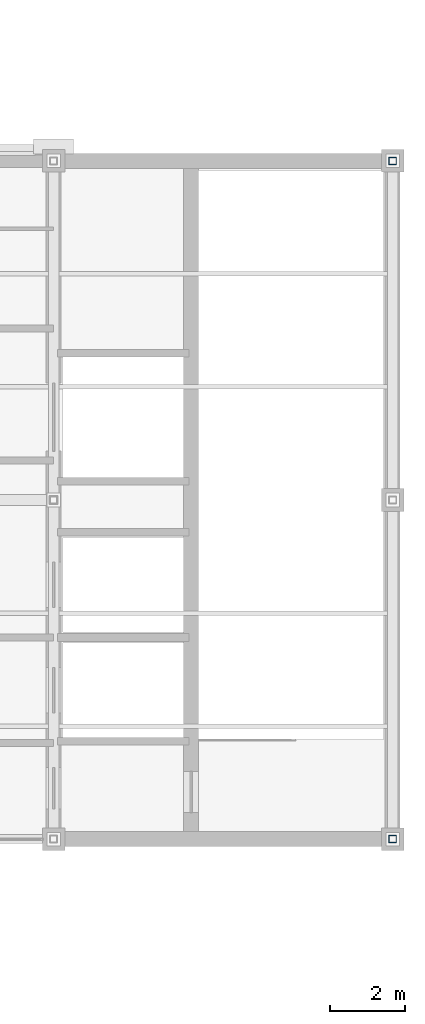
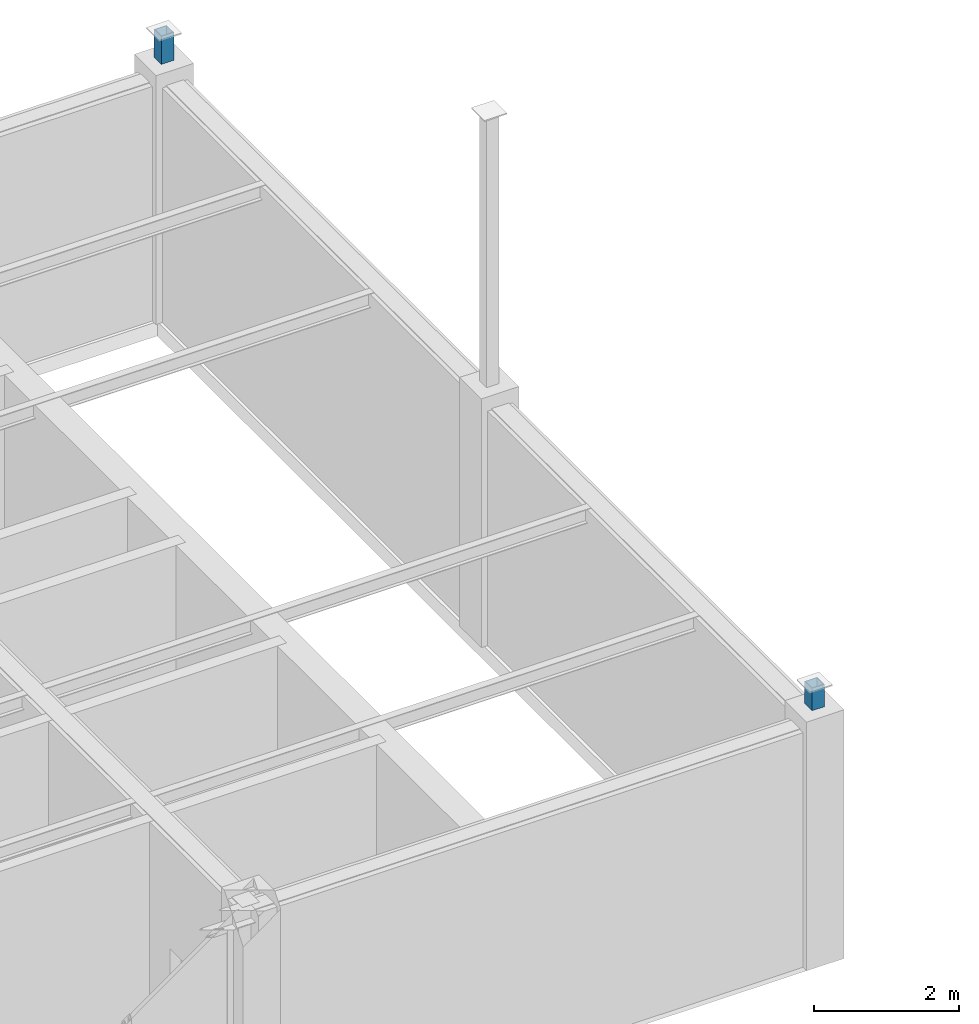
# One storey, part 71 of 97: 2 members.
"""IFC4 building model written with IfcOpenShell, lengths in metres."""

from ifc_helpers import new_model, si_unit, direction, frame, origin, origin_2d, place, context, subcontext, project, spatial, hollow_rectangle, extrude, material, material_profile, profile_set, type_object, element, save


model = new_model("IFC4")

# Units and contexts
model_context = context("Model", 3, precision=1e-05, world=origin(), true_north=direction((0.0, 1.0)))
body_context = subcontext(model_context, "Body", "Model", "MODEL_VIEW")
ifc_project = project(units=[si_unit("LENGTHUNIT", "METRE"), si_unit("AREAUNIT", "SQUARE_METRE"), si_unit("VOLUMEUNIT", "CUBIC_METRE"), si_unit("PLANEANGLEUNIT", "RADIAN"), si_unit("MASSUNIT", "GRAM", prefix="KILO")], contexts=[model_context])

# Site, building, storey
site_placement = place(None, origin())
site = spatial("IfcSite", under=ifc_project, at=site_placement, CompositionType="ELEMENT")
building_placement = place(site_placement, origin())
building = spatial("IfcBuilding", under=site, at=building_placement, Name="Lykobir Media Centre", CompositionType="ELEMENT")
storey_placement = place(building_placement, frame((0.0, 0.0, 23.39990234375)))
storey = spatial("IfcBuildingStorey", under=building, at=storey_placement, Name="L05", CompositionType="ELEMENT", Elevation=23.39990234375)

# Members
ifc_material = material(Name="Steel S355", Category="steel")
ifc_material_profile = material_profile(ifc_material, hollow_rectangle(XDim=0.199951171875, YDim=0.199951171875, WallThickness=0.010009765625, at=origin_2d()), Name="SHS 200x200x10")
ifc_profile_set = profile_set([ifc_material_profile], Name="Steel S355")
member_type = type_object("IfcMemberType", Name="TC-SHS200", PredefinedType="CHORD", material=ifc_profile_set)
member_1_placement = place(storey_placement, frame((135.0, 72.0, 4.2001953125), z_axis=(0.0, 0.0, 1.0), x_axis=(1.0, 0.0, 0.0)))
element("IfcMember", 1, at=member_1_placement, inside=storey, type_object=member_type, Name="Truss chord MEM2-L05-1350-0720-0276-1350-0720-0040", PredefinedType="CHORD", context=body_context, shape_type="SweptSolid", body=[
    extrude(hollow_rectangle(XDim=0.199951171875, YDim=0.199951171875, WallThickness=0.010009765625, at=origin_2d()), origin(), (0.0, 0.0, 1.0), 0.3798828125),
])
member_2_placement = place(storey_placement, frame((135.0, 90.0, 4.2001953125), z_axis=(0.0, 0.0, 1.0), x_axis=(1.0, 0.0, 0.0)))
element("IfcMember", 2, at=member_2_placement, inside=storey, type_object=member_type, Name="Truss chord MEM2-L05-1350-0900-0276-1350-0900-0042", PredefinedType="CHORD", context=body_context, shape_type="SweptSolid", body=[
    extrude(hollow_rectangle(XDim=0.199951171875, YDim=0.199951171875, WallThickness=0.010009765625, at=origin_2d()), origin(), (0.0, 0.0, 1.0), 0.47314453125),
])

save(model, "model.ifc")
